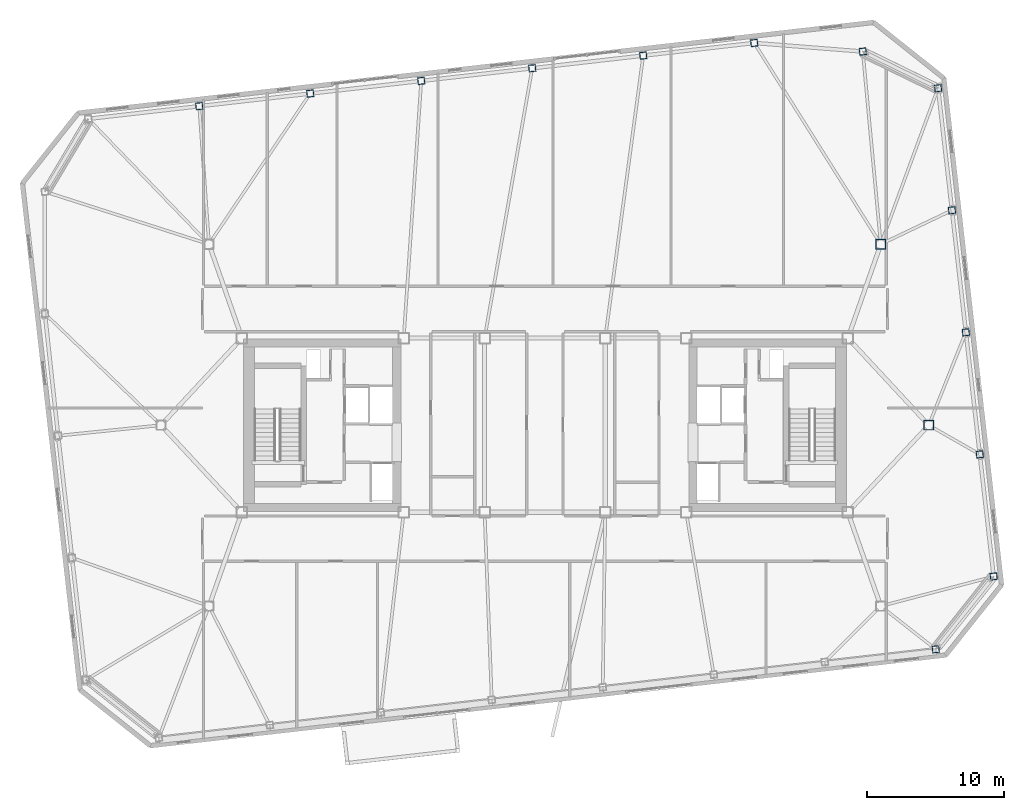
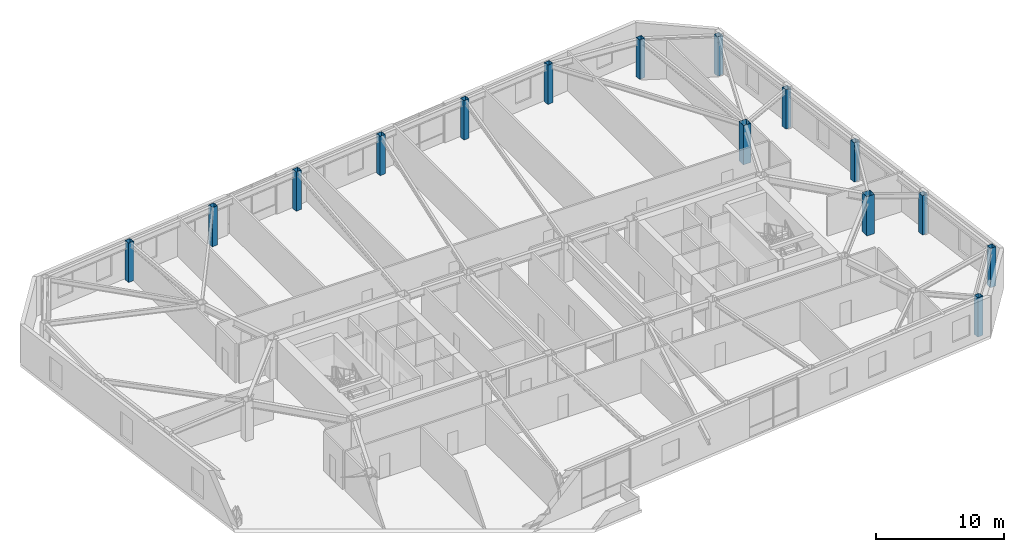
# One storey, part 2 of 18: 15 columns.
"""IFC4 building model written with IfcOpenShell, lengths in metres."""

from ifc_helpers import new_model, si_unit, direction, frame, origin, origin_2d, place, context, subcontext, project, spatial, hollow_rectangle, extrude, material, material_profile, profile_set, type_object, element, save


model = new_model("IFC4")

# Units and contexts
model_context = context("Model", 3, precision=1e-05, world=origin(), true_north=direction((0.0, 1.0)))
body_context = subcontext(model_context, "Body", "Model", "MODEL_VIEW")
ifc_project = project(units=[si_unit("LENGTHUNIT", "METRE"), si_unit("AREAUNIT", "SQUARE_METRE"), si_unit("VOLUMEUNIT", "CUBIC_METRE"), si_unit("PLANEANGLEUNIT", "RADIAN"), si_unit("MASSUNIT", "GRAM", prefix="KILO")], contexts=[model_context])

# Site, building, storey
site_placement = place(None, origin())
site = spatial("IfcSite", under=ifc_project, at=site_placement, CompositionType="ELEMENT")
building_placement = place(site_placement, origin())
building = spatial("IfcBuilding", under=site, at=building_placement, Name="Tavrogorsk Clinical Tower", CompositionType="ELEMENT")
storey_placement = place(building_placement, frame((0.0, 0.0, 230.199951171875)))
storey = spatial("IfcBuildingStorey", under=building, at=storey_placement, Name="L53", CompositionType="ELEMENT", Elevation=230.199951171875)

# Columns
ifc_material_1 = material(Name="Structural steel S440", Category="steel")
ifc_material_profile_1 = material_profile(ifc_material_1, hollow_rectangle(XDim=0.699951171875, YDim=0.699951171875, WallThickness=0.031982421875, at=origin_2d()), Name="BOX-700x700x32")
ifc_profile_set_1 = profile_set([ifc_material_profile_1], Name="Structural steel S440")
column_type_1 = type_object("IfcColumnType", Name="MegaCol_BOX700", PredefinedType="COLUMN", material=ifc_profile_set_1)
for number, where, z_axis, x_axis, name in (
    (1, (24.5, 13.199951171875, 0.0), (0.0, 0.0, 1.0), (1.0, 0.0, 0.0), "L53 Spine Pilotis Column MC-P4"),
    (2, (28.0, 0.0, 0.0), (0.0, 0.0, 1.0), (1.0, 0.0, 0.0), "L53 Spine Pilotis Column MC-P6"),
):
    element("IfcColumn", number, at=place(storey_placement, frame(where, z_axis=z_axis, x_axis=x_axis)), inside=storey, type_object=column_type_1, Name=name, PredefinedType="COLUMN", context=body_context, shape_type="SweptSolid", body=[
        extrude(hollow_rectangle(XDim=0.699951171875, YDim=0.699951171875, WallThickness=0.031982421875, at=origin_2d()), origin(), (0.0, 0.0, 1.0), 3.739990234375),
    ])
ifc_material_2 = material(Name="Structural steel S440", Category="steel")
ifc_material_profile_2 = material_profile(ifc_material_2, hollow_rectangle(XDim=0.5, YDim=0.5, WallThickness=0.02490234375, at=origin_2d()), Name="BOX-500x500x25")
ifc_profile_set_2 = profile_set([ifc_material_profile_2], Name="Structural steel S440")
column_type_2 = type_object("IfcColumnType", Name="PerimCol_B4_BOX500", PredefinedType="COLUMN", material=ifc_profile_set_2)
for number, where, z_axis, x_axis, name in (
    (3, (28.508544921875, -16.345458984375, 0.0), (0.0, 0.0, 1.0), (0.993571855677, 0.113203213768, 0.0), "L53 Perimeter Column S8"),
    (4, (23.188232421875, 27.25341796875, 0.0), (0.0, 0.0, 1.0), (0.993571855677, 0.113203213768, 0.0), "L53 Perimeter Column N1"),
    (5, (15.2685546875, 27.880126953125, 0.0), (0.0, 0.0, 1.0), (0.993571855677, 0.113203213768, 0.0), "L53 Perimeter Column N2"),
    (6, (7.17236328125, 26.95751953125, 0.0), (0.0, 0.0, 1.0), (0.993571855677, 0.113203213768, 0.0), "L53 Perimeter Column N3"),
    (7, (-0.923828125, 26.03515625, 0.0), (0.0, 0.0, 1.0), (0.993571855677, 0.113203213768, 0.0), "L53 Perimeter Column N4"),
    (8, (-9.02001953125, 25.11279296875, 0.0), (0.0, 0.0, 1.0), (0.993571855677, 0.113203213768, 0.0), "L53 Perimeter Column N5"),
    (9, (-17.1162109375, 24.190185546875, 0.0), (0.0, 0.0, 1.0), (0.993571855677, 0.113203213768, 0.0), "L53 Perimeter Column N6"),
    (10, (-25.21240234375, 23.267822265625, 0.0), (0.0, 0.0, 1.0), (0.993571855677, 0.113203213768, 0.0), "L53 Perimeter Column N7"),
    (11, (32.734375, -11.032958984375, 0.0), (0.0, 0.0, 1.0), (0.993571855677, 0.113203213768, 0.0), "L53 Perimeter Column E1"),
    (12, (31.72021484375, -2.130615234375, 0.0), (0.0, 0.0, 1.0), (0.993571855677, 0.113203213768, 0.0), "L53 Perimeter Column E2"),
    (13, (30.705810546875, 6.77197265625, 0.0), (0.0, 0.0, 1.0), (0.993571855677, 0.113203213768, 0.0), "L53 Perimeter Column E3"),
    (14, (29.69140625, 15.67431640625, 0.0), (0.0, 0.0, 1.0), (0.993571855677, 0.113203213768, 0.0), "L53 Perimeter Column E4"),
    (15, (28.67724609375, 24.57666015625, 0.0), (0.0, 0.0, 1.0), (0.993571855677, 0.113203213768, 0.0), "L53 Perimeter Column E5"),
):
    element("IfcColumn", number, at=place(storey_placement, frame(where, z_axis=z_axis, x_axis=x_axis)), inside=storey, type_object=column_type_2, Name=name, PredefinedType="COLUMN", context=body_context, shape_type="SweptSolid", body=[
        extrude(hollow_rectangle(XDim=0.5, YDim=0.5, WallThickness=0.02490234375, at=origin_2d()), origin(), (0.0, 0.0, 1.0), 3.739990234375),
    ])

save(model, "model.ifc")
